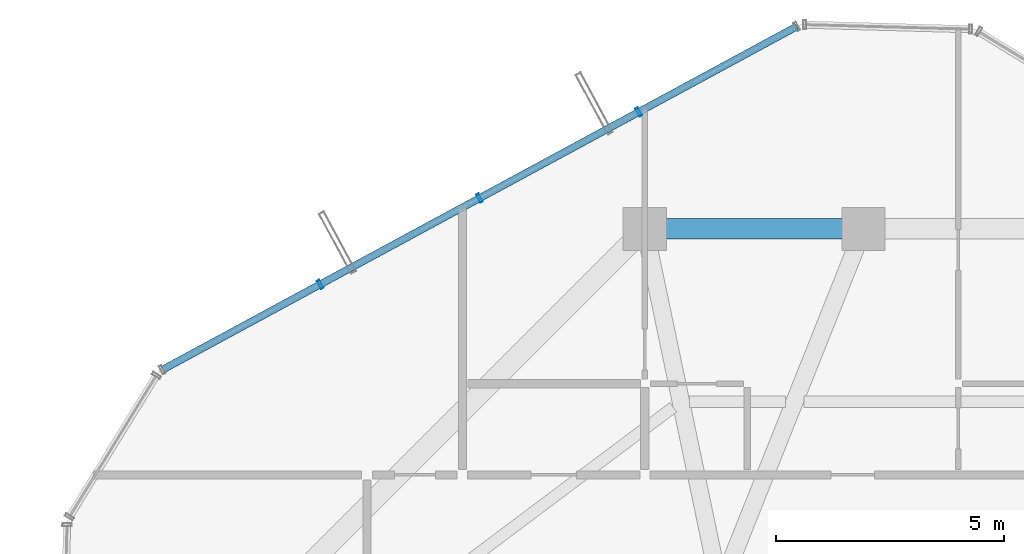
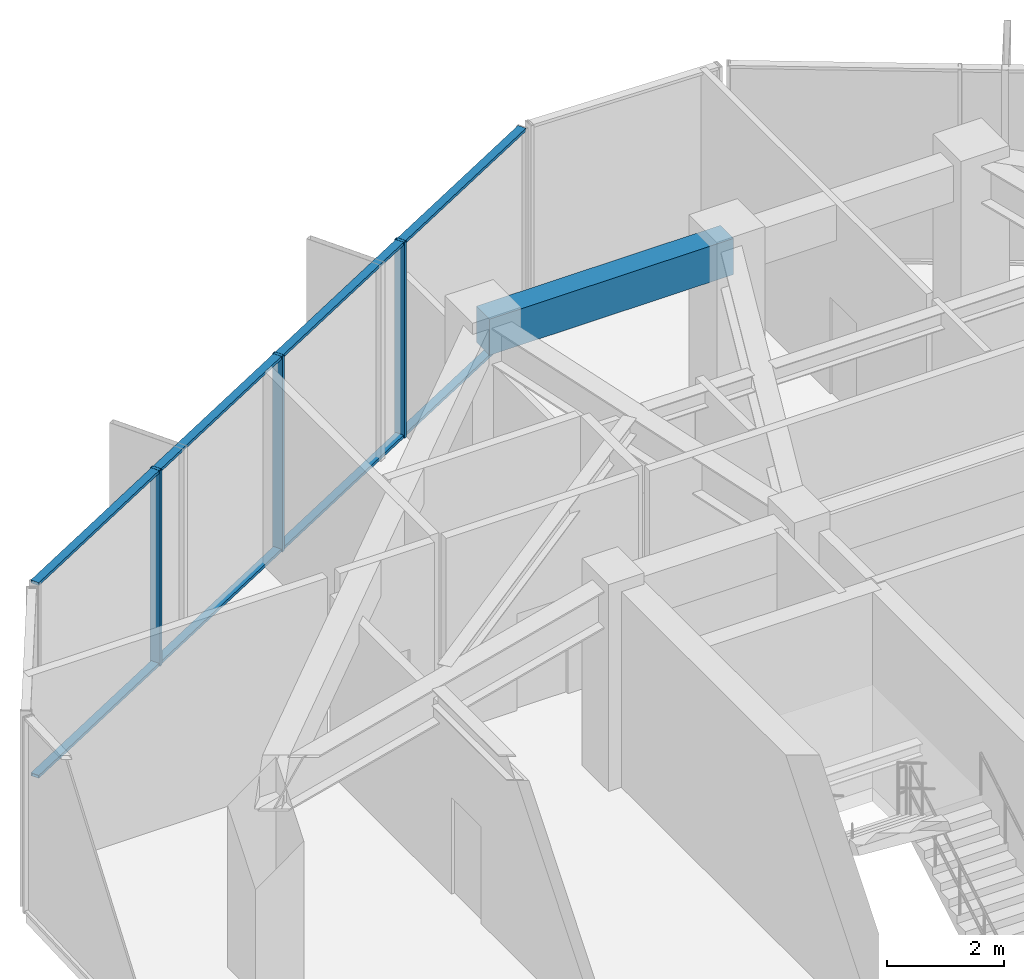
# One storey, part 14 of 22: 5 members, 1 beam, 1 element without a shape of its own.
"""IFC4 building model written with IfcOpenShell, lengths in metres."""

from ifc_helpers import new_model, si_unit, direction, frame, origin, origin_2d, place, context, subcontext, project, spatial, rectangle, hollow_rectangle, extrude, source, transform, mapped, material, layer, layer_set, material_profile, profile_set, type_object, element, aggregate, save


model = new_model("IFC4")

# Units and contexts
model_context = context("Model", 3, precision=1e-05, world=origin(), true_north=direction((0.0, 1.0)))
body_context = subcontext(model_context, "Body", "Model", "MODEL_VIEW")
ifc_project = project(units=[si_unit("LENGTHUNIT", "METRE"), si_unit("AREAUNIT", "SQUARE_METRE"), si_unit("VOLUMEUNIT", "CUBIC_METRE"), si_unit("PLANEANGLEUNIT", "RADIAN"), si_unit("MASSUNIT", "GRAM", prefix="KILO")], contexts=[model_context])

# Site, building, storey
site_placement = place(None, origin())
site = spatial("IfcSite", under=ifc_project, at=site_placement, CompositionType="ELEMENT")
building_placement = place(site_placement, origin())
building = spatial("IfcBuilding", under=site, at=building_placement, Name="Veraguas Prism Commons", CompositionType="ELEMENT")
storey_placement = place(building_placement, frame((0.0, 0.0, 211.35009765625)))
storey = spatial("IfcBuildingStorey", under=building, at=storey_placement, Name="L60", CompositionType="ELEMENT", Elevation=211.35009765625)

# Beam
ifc_material_1 = material(Name="Concrete C50/60", Category="concrete")
ifc_material_profile_1 = material_profile(ifc_material_1, rectangle(XDim=0.449951171875, YDim=0.75, at=origin_2d()), Name="RC450X750")
ifc_profile_set_1 = profile_set([ifc_material_profile_1], Name="Concrete C50/60")
beam_type = type_object("IfcBeamType", Name="Perimeter Spandrel Upper RC 450x750", PredefinedType="SPANDREL", material=ifc_profile_set_1)
beam_placement = place(storey_placement, frame((24.0, 38.89990234375, 3.68994140625), z_axis=(-1.0, 0.0, 0.0), x_axis=(0.0, -1.0, 0.0)))
element("IfcBeam", 1, at=beam_placement, inside=storey, type_object=beam_type, Name="Perimeter Spandrel Beam L60-SP05", PredefinedType="SPANDREL", context=body_context, shape_type="SweptSolid", body=[
    extrude(rectangle(XDim=0.449951171875, YDim=0.75, at=origin_2d()), origin(), (0.0, 0.0, 1.0), 4.800048828125),
])

# Curtain wall, members
ifc_material_2 = material(Name="Anodised aluminium EN AW-6063 T6", Category="aluminium")
ifc_layer = layer(ifc_material_2, 0.199951171875, Name="Sky Lobby and Pool Acoustic Curtain Wall", Category="aluminium")
ifc_layer_set = layer_set([ifc_layer], Name="Anodised aluminium EN AW-6063 T6")
curtain_wall_type = type_object("IfcCurtainWallType", Name="Sky Lobby and Pool Acoustic Curtain Wall", PredefinedType="NOTDEFINED", material=ifc_layer_set)
curtain_wall_placement = place(storey_placement, origin())
curtain_wall = element("IfcCurtainWall", 2, at=curtain_wall_placement, inside=storey, type_object=curtain_wall_type, Name="Tower Facade Curtain Wall L60-F2", PredefinedType="NOTDEFINED")
ifc_material_profile_2 = material_profile(ifc_material_2, hollow_rectangle(XDim=0.06005859375, YDim=0.159912109375, WallThickness=0.0029296875, at=origin_2d()), Name="AL60X160X3")
ifc_profile_set_2 = profile_set([ifc_material_profile_2], Name="Anodised aluminium EN AW-6063 T6")
member_type_1 = type_object("IfcMemberType", Name="Curtain Wall Transom Heavy AL 60x160x3", PredefinedType="USERDEFINED", material=ifc_profile_set_2)
shared_shape_1 = source(origin(), body_context, "Body", "SweptSolid", [
    extrude(hollow_rectangle(XDim=0.06005859375, YDim=0.159912109375, WallThickness=0.0029296875, at=origin_2d()), origin(), (0.0, 0.0, 1.0), 15.83740234375),
])
member_1_placement = place(storey_placement, frame((22.535400390625, 43.344482421875, 0.02978515625), z_axis=(-0.879486645967, -0.475923564835, 0.0), x_axis=(0.0, 0.0, 1.0)))
member_1 = element("IfcMember", 3, at=member_1_placement, type_object=member_type_1, Name="CW-SKY Transom 1", ObjectType="TRANSOM", PredefinedType="USERDEFINED", context=body_context, shape_type="MappedRepresentation", body=[
    mapped(shared_shape_1, transform((0.0, 0.0, 0.0), scale=1.0)),
])
member_2_placement = place(storey_placement, frame((22.535400390625, 43.344482421875, 4.034912109375), z_axis=(-0.879486645967, -0.475923564835, 0.0), x_axis=(0.0, 0.0, 1.0)))
member_2 = element("IfcMember", 4, at=member_2_placement, type_object=member_type_1, Name="CW-SKY Transom 2", ObjectType="TRANSOM", PredefinedType="USERDEFINED", context=body_context, shape_type="MappedRepresentation", body=[
    mapped(shared_shape_1, transform((0.0, 0.0, 0.0), scale=1.0)),
])
ifc_material_profile_3 = material_profile(ifc_material_2, hollow_rectangle(XDim=0.06494140625, YDim=0.199951171875, WallThickness=0.00390625, at=origin_2d()), Name="AL65X200X4")
ifc_profile_set_3 = profile_set([ifc_material_profile_3], Name="Anodised aluminium EN AW-6063 T6")
member_type_2 = type_object("IfcMemberType", Name="Curtain Wall Mullion Heavy AL 65x200x4", PredefinedType="MULLION", material=ifc_profile_set_3)
shared_shape_2 = source(origin(), body_context, "Body", "SweptSolid", [
    extrude(hollow_rectangle(XDim=0.06494140625, YDim=0.199951171875, WallThickness=0.00390625, at=origin_2d()), origin(), (0.0, 0.0, 1.0), 4.06494140625),
])
member_3_placement = place(storey_placement, frame((19.067626953125, 41.468017578125, 0.0), z_axis=(0.0, 0.0, 1.0), x_axis=(-0.879484156418, -0.475928165389, 0.0)))
member_3 = element("IfcMember", 5, at=member_3_placement, type_object=member_type_2, Name="CW-SKY Mullion 2", PredefinedType="MULLION", context=body_context, shape_type="MappedRepresentation", body=[
    mapped(shared_shape_2, transform((0.0, 0.0, 0.0), scale=1.0)),
])
member_4_placement = place(storey_placement, frame((15.571044921875, 39.57568359375, 0.0), z_axis=(0.0, 0.0, 1.0), x_axis=(-0.879484156418, -0.475928165389, 0.0)))
member_4 = element("IfcMember", 6, at=member_4_placement, type_object=member_type_2, Name="CW-SKY Mullion 3", PredefinedType="MULLION", context=body_context, shape_type="MappedRepresentation", body=[
    mapped(shared_shape_2, transform((0.0, 0.0, 0.0), scale=1.0)),
])
member_5_placement = place(storey_placement, frame((12.07470703125, 37.68359375, 0.0), z_axis=(0.0, 0.0, 1.0), x_axis=(-0.879484156418, -0.475928165389, 0.0)))
member_5 = element("IfcMember", 7, at=member_5_placement, type_object=member_type_2, Name="CW-SKY Mullion 4", PredefinedType="MULLION", context=body_context, shape_type="MappedRepresentation", body=[
    mapped(shared_shape_2, transform((0.0, 0.0, 0.0), scale=1.0)),
])
aggregate(curtain_wall, [member_3, member_4, member_5, member_1, member_2])

save(model, "model.ifc")
